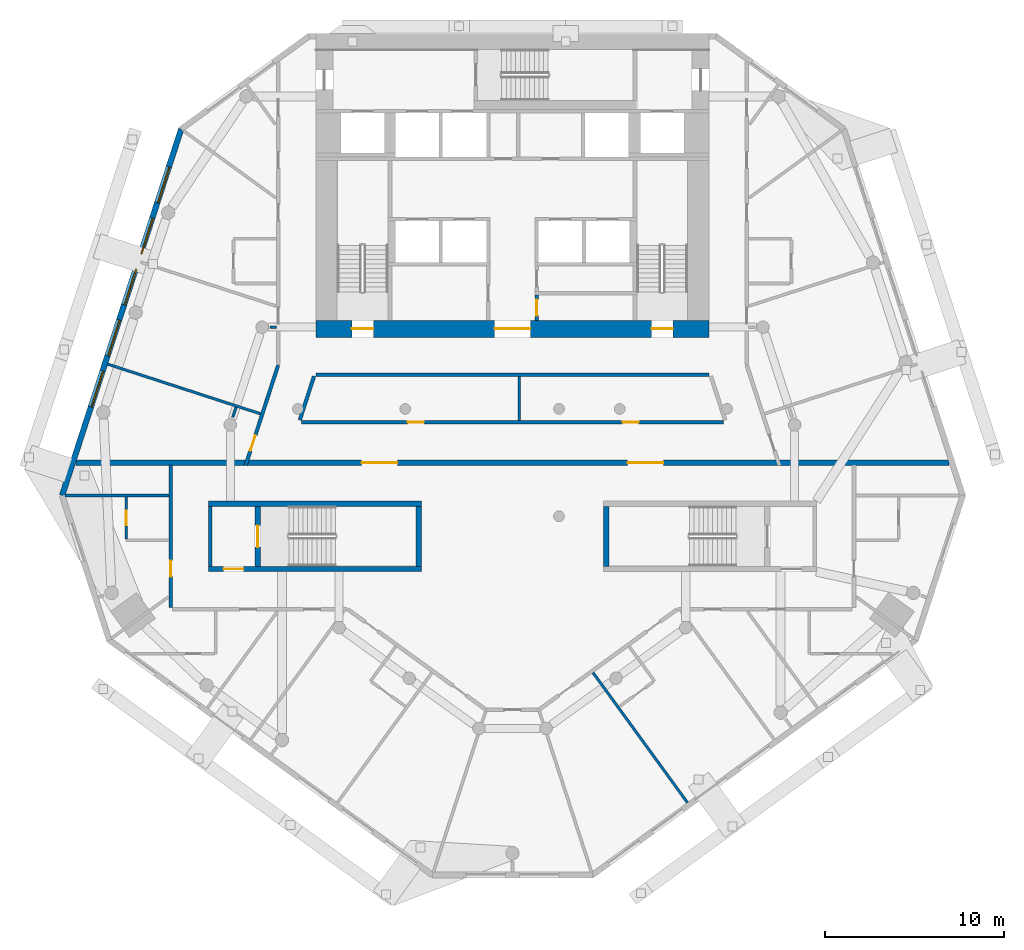
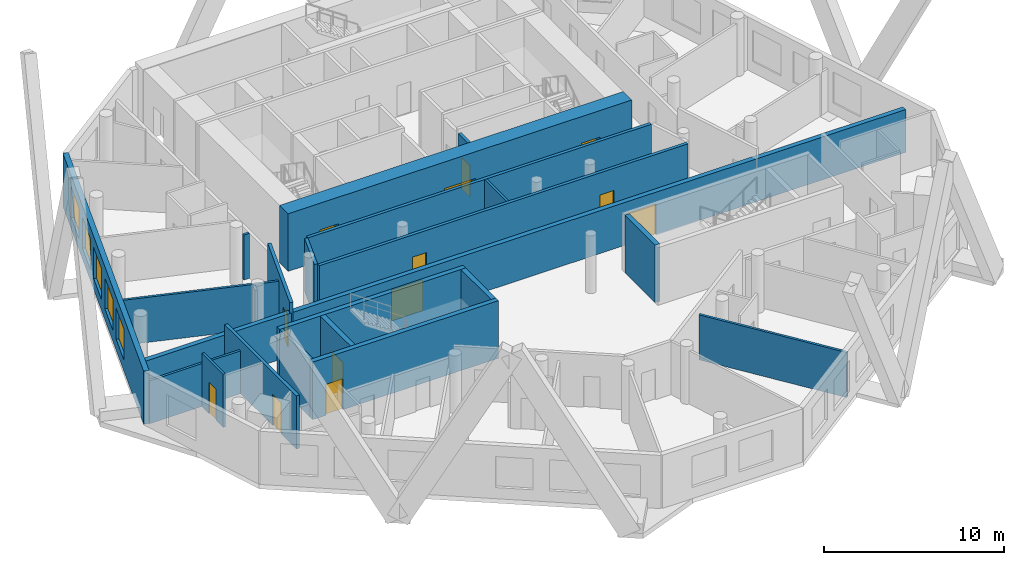
# One storey, part 4 of 10: 22 walls, 13 doors, 5 windows, 18 openings.
"""IFC4 building model written with IfcOpenShell, lengths in metres."""

import ifcopenshell
import ifcopenshell.guid

model = None  # the IFC model being written
_history = None  # IfcOwnerHistory: only IFC2X3 demands one
_inside = {}  # id of a spatial element -> (the spatial element, [elements in it])
_under = {}  # id of a project, library or spatial element -> (it, [spatial elements below it])
_declared = {}  # id of a project -> (the project, [libraries it declares])
_typed = {}  # id of a type object -> (the type object, [elements of that type])
_made_of = {}  # id of a material, layer set ... -> (it, [elements and type objects made of it])


def new_model(schema):
    """Start an empty IFC model of exactly this schema.

    Asked for "IFC4X3", IfcOpenShell would pick the latest addendum, in which some entities
    have other attributes; the version numbers below select the first issue.
    IFC2X3 requires an IfcOwnerHistory on every rooted entity: one is made here for all.
    """
    global model, _history
    if schema == "IFC4X3":
        model = ifcopenshell.file(schema_version=(4, 3, 0, 0))
    else:
        model = ifcopenshell.file(schema=schema)
    _inside.clear()
    _under.clear()
    _declared.clear()
    _typed.clear()
    _made_of.clear()
    _history = None
    if model.schema == "IFC2X3":
        org = make("IfcOrganization", Name="unknown")
        user = make(
            "IfcPersonAndOrganization",
            ThePerson=make("IfcPerson", FamilyName="unknown"),
            TheOrganization=org,
        )
        app = make(
            "IfcApplication",
            ApplicationDeveloper=org,
            Version="unknown",
            ApplicationFullName="unknown",
            ApplicationIdentifier="unknown",
        )
        _history = make(
            "IfcOwnerHistory",
            OwningUser=user,
            OwningApplication=app,
            ChangeAction="ADDED",
            CreationDate=0,
        )
    return model


def make(cls, **values):
    """One entity of the class cls with the attributes given. An attribute that is None is left unset."""
    return model.create_entity(
        cls, **{name: value for name, value in values.items() if value is not None}
    )


def rooted(cls, **values):
    """An entity with a GlobalId (a new one), such as an element, a storey or a relation."""
    return make(cls, GlobalId=ifcopenshell.guid.new(), OwnerHistory=_history, **values)


def si_unit(unit_type, name, prefix=None):
    """IfcSIUnit, for example si_unit("LENGTHUNIT", "METRE", prefix="MILLI")."""
    return make("IfcSIUnit", UnitType=unit_type, Prefix=prefix, Name=name)


def assignment(units):
    """IfcUnitAssignment: the units of a project."""
    return None if units is None else make("IfcUnitAssignment", Units=units)


def point(xyz):
    """IfcCartesianPoint."""
    return None if xyz is None else make("IfcCartesianPoint", Coordinates=xyz)


def direction(xyz):
    """IfcDirection."""
    return None if xyz is None else make("IfcDirection", DirectionRatios=xyz)


def frame(location, z_axis=None, x_axis=None):
    """IfcAxis2Placement3D, a coordinate frame: its origin and axes. An axis left out is left unset."""
    return make(
        "IfcAxis2Placement3D",
        Location=point(location),
        Axis=direction(z_axis),
        RefDirection=direction(x_axis),
    )


def frame_2d(location, x_axis=None):
    """IfcAxis2Placement2D, a coordinate frame in the plane: its origin and x axis."""
    return make(
        "IfcAxis2Placement2D", Location=point(location), RefDirection=direction(x_axis)
    )


def origin():
    """The frame at (0, 0, 0) with its axes left unset."""
    return frame((0.0, 0.0, 0.0))


def place(relative_to, where):
    """IfcLocalPlacement: puts the frame where relative to a parent placement (None: the world)."""
    return make(
        "IfcLocalPlacement", PlacementRelTo=relative_to, RelativePlacement=where
    )


def context(
    kind, dimensions, precision=None, world=None, true_north=None, identifier=None
):
    """IfcGeometricRepresentationContext, for example the 3D "Model" context."""
    return make(
        "IfcGeometricRepresentationContext",
        ContextIdentifier=identifier,
        ContextType=kind,
        CoordinateSpaceDimension=dimensions,
        Precision=precision,
        WorldCoordinateSystem=world,
        TrueNorth=true_north,
    )


def subcontext(parent, identifier, kind, view, scale=None):
    """IfcGeometricRepresentationSubContext, for example "Body" below "Model"."""
    return make(
        "IfcGeometricRepresentationSubContext",
        ContextIdentifier=identifier,
        ContextType=kind,
        ParentContext=parent,
        TargetScale=scale,
        TargetView=view,
    )


def project(units=None, contexts=None):
    """IfcProject with its units and contexts."""
    return rooted(
        "IfcProject",
        Name="project",
        RepresentationContexts=contexts,
        UnitsInContext=assignment(units),
    )


def spatial(cls, under=None, at=None, **own):
    """A site, building, storey or space (cls), placed at a placement, below another one or the project."""
    s = rooted(cls, ObjectPlacement=at, **own)
    if under is not None:
        _under.setdefault(under.id(), (under, []))[1].append(s)
    return s


def profile(cls, at=None, kind="AREA", **sizes):
    """A parametric profile (cls). Its sizes go by their IFC names, for example OverallWidth=200.0."""
    return make(cls, ProfileType=kind, Position=at, **sizes)


def rectangle(**sizes):
    """IfcRectangleProfileDef."""
    return profile("IfcRectangleProfileDef", **sizes)


def extrude(swept, where, along, depth):
    """IfcExtrudedAreaSolid: the profile swept, set in the frame where, extruded along a direction by depth."""
    return make(
        "IfcExtrudedAreaSolid",
        SweptArea=swept,
        Position=where,
        ExtrudedDirection=direction(along),
        Depth=depth,
    )


def shape(context_of_items, identifier, shape_type, items):
    """IfcShapeRepresentation: the items that make up one representation, for example the "Body"."""
    return make(
        "IfcShapeRepresentation",
        ContextOfItems=context_of_items,
        RepresentationIdentifier=identifier,
        RepresentationType=shape_type,
        Items=items,
    )


def material(Name=None, Category=None):
    """IfcMaterial."""
    return make("IfcMaterial", Name=Name, Category=Category)


def layer(
    of_material, thickness, ventilated=None, Name=None, Category=None, Priority=None
):
    """IfcMaterialLayer: one layer of a wall or slab, of a material (None: an air gap)."""
    return make(
        "IfcMaterialLayer",
        Material=of_material,
        LayerThickness=thickness,
        IsVentilated=ventilated,
        Name=Name,
        Category=Category,
        Priority=Priority,
    )


def layer_set(layers, Name=None):
    """IfcMaterialLayerSet."""
    return make("IfcMaterialLayerSet", MaterialLayers=layers, LayerSetName=Name)


def made_of(thing, what):
    """Note that an element or type object is made of a material, layer set ...; save() writes the relation."""
    if what is not None:
        _made_of.setdefault(what.id(), (what, []))[1].append(thing)
    return thing


def type_object(cls, material=None, **own):
    """A type object (cls), such as IfcWallType, which elements share."""
    return made_of(rooted(cls, **own), material)


def element(
    cls,
    number,
    at=None,
    inside=None,
    cuts=None,
    type_object=None,
    material=None,
    context=None,
    identifier="Body",
    shape_type=None,
    held_by="IfcProductDefinitionShape",
    body=None,
    shapes=None,
    **own,
):
    """One element of the class cls, such as IfcWall. Its Tag is "e" and its number.

    at: its placement. inside: the storey or other place that contains it. cuts: it is an
    opening in that element (IfcRelVoidsElement). A single representation is given by context,
    identifier, shape_type and body (its items); several are given by shapes. held_by: the class
    of the entity that holds the representations. save() writes the other relations.
    """
    e = rooted(cls, Tag="e%d" % number, ObjectPlacement=at, **own)
    if body is not None:
        shapes = [shape(context, identifier, shape_type, body)]
    if shapes is not None:
        e.Representation = make(held_by, Representations=shapes)
    if inside is not None:
        _inside.setdefault(inside.id(), (inside, []))[1].append(e)
    if cuts is not None:
        rooted(
            "IfcRelVoidsElement", RelatingBuildingElement=cuts, RelatedOpeningElement=e
        )
    if type_object is not None:
        _typed.setdefault(type_object.id(), (type_object, []))[1].append(e)
    return made_of(e, material)


def fill(opening, filler):
    """IfcRelFillsElement: the door or window that sits in an opening."""
    return rooted(
        "IfcRelFillsElement",
        RelatingOpeningElement=opening,
        RelatedBuildingElement=filler,
    )


def aggregate(whole, parts):
    """IfcRelAggregates: a whole, such as a stair, and the parts it consists of."""
    return rooted("IfcRelAggregates", RelatingObject=whole, RelatedObjects=parts)


def save(model, path):
    """Write the relations noted so far, then the file.

    IfcRelAggregates (storeys below a building ...), IfcRelContainedInSpatialStructure (elements
    in a storey), IfcRelDefinesByType, IfcRelAssociatesMaterial and IfcRelDeclares: one each for
    every whole, place, type object, material and project.
    """
    for whole, parts in _under.values():
        aggregate(whole, parts)
    for where, things in _inside.values():
        rooted(
            "IfcRelContainedInSpatialStructure",
            RelatedElements=things,
            RelatingStructure=where,
        )
    for kind, things in _typed.values():
        rooted("IfcRelDefinesByType", RelatedObjects=things, RelatingType=kind)
    for what, things in _made_of.values():
        rooted("IfcRelAssociatesMaterial", RelatedObjects=things, RelatingMaterial=what)
    for by, libraries in _declared.values():
        rooted("IfcRelDeclares", RelatingContext=by, RelatedDefinitions=libraries)
    model.write(path)


model = new_model("IFC4")

# Units and contexts
model_context = context("Model", 3, precision=1e-05, world=origin(), true_north=direction((0.0, 1.0)))
body_context = subcontext(model_context, "Body", "Model", "MODEL_VIEW")
ifc_project = project(units=[si_unit("LENGTHUNIT", "METRE"), si_unit("AREAUNIT", "SQUARE_METRE"), si_unit("VOLUMEUNIT", "CUBIC_METRE"), si_unit("PLANEANGLEUNIT", "RADIAN"), si_unit("MASSUNIT", "GRAM", prefix="KILO")], contexts=[model_context])

# Site, building, storey
site_placement = place(None, origin())
site = spatial("IfcSite", under=ifc_project, at=site_placement, CompositionType="ELEMENT")
building_placement = place(site_placement, origin())
building = spatial("IfcBuilding", under=site, at=building_placement, Name="White Candle Pilgrim Tower", CompositionType="ELEMENT")
storey_placement = place(building_placement, frame((0.0, 0.0, 160.300048828125)))
storey = spatial("IfcBuildingStorey", under=building, at=storey_placement, Name="L36", CompositionType="ELEMENT", Elevation=160.300048828125)

# Wall
ifc_material_1 = material(Name="Concrete C60/75", Category="concrete")
ifc_layer_1 = layer(ifc_material_1, 0.199951171875)
ifc_layer_set_1 = layer_set([ifc_layer_1], Name="Core wall 200 mm Concrete C60/75")
wall_type_1 = type_object("IfcWallType", Name="Core wall 200 mm Concrete C60/75", PredefinedType="SHEAR", material=ifc_layer_set_1)
wall_1_placement = place(storey_placement, frame((53.10009765625, 58.199951171875, 0.0), z_axis=(0.0, 0.0, 1.0), x_axis=(0.0, 1.0, 0.0)))
element("IfcWall", 1, at=wall_1_placement, inside=storey, type_object=wall_type_1, Name="WL-L36-C03", PredefinedType="SHEAR", context=body_context, shape_type="SweptSolid", body=[
    extrude(rectangle(XDim=3.35009765625, YDim=0.199951171875, at=frame_2d((1.675048828125, 0.0))), origin(), (0.0, 0.0, 1.0), 3.89990234375),
])

# Wall, opening, door
ifc_material_2 = material(Name="Gypsum board on steel studs", Category="steel")
ifc_layer_2 = layer(ifc_material_2, 0.199951171875)
ifc_layer_set_2 = layer_set([ifc_layer_2], Name="Corridor wall 200 mm EI 45")
wall_type_2 = type_object("IfcWallType", Name="Corridor wall 200 mm EI 45", PredefinedType="PARTITIONING", material=ifc_layer_set_2)
wall_2_placement = place(storey_placement, frame((55.078125, 63.85009765625, 0.0), z_axis=(0.0, 0.0, 1.0), x_axis=(0.309018469575, 0.951056036972, 0.0)))
wall_2 = element("IfcWall", 2, at=wall_2_placement, inside=storey, type_object=wall_type_2, Name="WL-L36-P002", PredefinedType="PARTITIONING", context=body_context, shape_type="SweptSolid", body=[
    extrude(rectangle(XDim=5.879638671875, YDim=0.199951171875, at=frame_2d((2.93994140625, 0.0))), origin(), (0.0, 0.0, 1.0), 3.599853515625),
])
opening_1_placement = place(wall_2_placement, frame((0.861083984375, 0.0, 0.0)))
opening_1 = element("IfcOpeningElement", 3, at=opening_1_placement, cuts=wall_2, Name="Opening T11-124", PredefinedType="OPENING", context=body_context, shape_type="SweptSolid", body=[
    extrude(rectangle(XDim=0.89990234375, YDim=2.10009765625, at=frame_2d((0.449951171875, 1.050048828125))), frame((0.0, 0.10986328125, 0.0), z_axis=(0.0, -1.0, 0.0), x_axis=(1.0, 0.0, 0.0)), (0.0, 0.0, 1.0), 0.219970703125),
])
ifc_material_3 = material(Name="Steel door leaf", Category="steel")
door_type_1 = type_object("IfcDoorType", Name="Fire door 900 x 2100 EI 30", OperationType="NOTDEFINED", PredefinedType="DOOR", material=ifc_material_3)
door_1_placement = place(opening_1_placement, origin())
door_1 = element("IfcDoor", 4, at=door_1_placement, inside=storey, type_object=door_type_1, Name="Door T11-124", OperationType="SINGLE_SWING_RIGHT", OverallHeight=2.10009765625, OverallWidth=0.89990234375, PredefinedType="DOOR", context=body_context, shape_type="SweptSolid", body=[
    extrude(rectangle(XDim=0.89990234375, YDim=2.10009765625, at=frame_2d((0.449951171875, 1.050048828125))), frame((0.0, 0.02490234375, 0.0), z_axis=(0.0, -1.0, 0.0), x_axis=(1.0, 0.0, 0.0)), (0.0, 0.0, 1.0), 0.050048828125),
])
fill(opening_1, door_1)

wall_3_placement = place(storey_placement, frame((50.89990234375, 55.89990234375, 0.0), z_axis=(0.0, 0.0, 1.0), x_axis=(0.0, 1.0, 0.0)))
wall_3 = element("IfcWall", 5, at=wall_3_placement, inside=storey, type_object=wall_type_2, Name="WL-L36-P012", PredefinedType="PARTITIONING", context=body_context, shape_type="SweptSolid", body=[
    extrude(rectangle(XDim=7.9501953125, YDim=0.199951171875, at=frame_2d((3.97509765625, 0.0))), origin(), (0.0, 0.0, 1.0), 3.599853515625),
])
opening_2_placement = place(wall_3_placement, frame((1.72119140625, 0.0, 0.0)))
opening_2 = element("IfcOpeningElement", 6, at=opening_2_placement, cuts=wall_3, Name="Opening T11-103", PredefinedType="OPENING", context=body_context, shape_type="SweptSolid", body=[
    extrude(rectangle(XDim=0.89990234375, YDim=2.10009765625, at=frame_2d((0.449951171875, 1.050048828125))), frame((0.0, 0.10986328125, 0.0), z_axis=(0.0, -1.0, 0.0), x_axis=(1.0, 0.0, 0.0)), (0.0, 0.0, 1.0), 0.219970703125),
])
door_2_placement = place(opening_2_placement, origin())
door_2 = element("IfcDoor", 7, at=door_2_placement, inside=storey, type_object=door_type_1, Name="Door T11-103", OperationType="SINGLE_SWING_LEFT", OverallHeight=2.10009765625, OverallWidth=0.89990234375, PredefinedType="DOOR", context=body_context, shape_type="SweptSolid", body=[
    extrude(rectangle(XDim=0.89990234375, YDim=2.10009765625, at=frame_2d((0.449951171875, 1.050048828125))), frame((0.0, 0.02490234375, 0.0), z_axis=(0.0, -1.0, 0.0), x_axis=(1.0, 0.0, 0.0)), (0.0, 0.0, 1.0), 0.050048828125),
])
fill(opening_2, door_2)

# Walls
wall_4_placement = place(storey_placement, frame((81.000244140625, 68.89990234375, 0.0), z_axis=(0.0, 0.0, 1.0), x_axis=(-1.0, 0.0, 0.0)))
element("IfcWall", 8, at=wall_4_placement, inside=storey, type_object=wall_type_2, Name="WL-L36-P013", PredefinedType="PARTITIONING", context=body_context, shape_type="SweptSolid", body=[
    extrude(rectangle(XDim=22.00048828125, YDim=0.199951171875, at=frame_2d((11.000244140625, 0.0))), origin(), (0.0, 0.0, 1.0), 3.599853515625),
])
wall_5_placement = place(storey_placement, frame((58.90478515625, 68.830810546875, 0.0), z_axis=(0.0, 0.0, 1.0), x_axis=(-0.309053927645, -0.951044515155, 0.0)))
element("IfcWall", 9, at=wall_5_placement, inside=storey, type_object=wall_type_2, Name="WL-L36-P014", PredefinedType="PARTITIONING", context=body_context, shape_type="SweptSolid", body=[
    extrude(rectangle(XDim=2.576171875, YDim=0.199951171875, at=frame_2d((1.2880859375, 0.0))), origin(), (0.0, 0.0, 1.0), 3.599853515625),
])

# Wall, openings, doors
wall_6_placement = place(storey_placement, frame((58.20361328125, 66.25, 0.0), z_axis=(0.0, 0.0, 1.0), x_axis=(1.0, 0.0, 0.0)))
wall_6 = element("IfcWall", 10, at=wall_6_placement, inside=storey, type_object=wall_type_2, Name="WL-L36-P015", PredefinedType="PARTITIONING", context=body_context, shape_type="SweptSolid", body=[
    extrude(rectangle(XDim=23.5927734375, YDim=0.199951171875, at=frame_2d((11.79638671875, 0.0))), origin(), (0.0, 0.0, 1.0), 3.599853515625),
])
opening_3_placement = place(wall_6_placement, frame((5.94091796875, 0.0, 0.0)))
opening_3 = element("IfcOpeningElement", 11, at=opening_3_placement, cuts=wall_6, Name="Opening T11-122", PredefinedType="OPENING", context=body_context, shape_type="SweptSolid", body=[
    extrude(rectangle(XDim=0.89990234375, YDim=2.10009765625, at=frame_2d((0.449951171875, 1.050048828125))), frame((0.0, 0.10986328125, 0.0), z_axis=(0.0, -1.0, 0.0), x_axis=(1.0, 0.0, 0.0)), (0.0, 0.0, 1.0), 0.219970703125),
])
opening_4_placement = place(wall_6_placement, frame((17.949951171875, 0.0, 0.0)))
opening_4 = element("IfcOpeningElement", 12, at=opening_4_placement, cuts=wall_6, Name="Opening T11-123", PredefinedType="OPENING", context=body_context, shape_type="SweptSolid", body=[
    extrude(rectangle(XDim=0.89990234375, YDim=2.10009765625, at=frame_2d((0.449951171875, 1.050048828125))), frame((0.0, 0.10986328125, 0.0), z_axis=(0.0, -1.0, 0.0), x_axis=(1.0, 0.0, 0.0)), (0.0, 0.0, 1.0), 0.219970703125),
])
door_3_placement = place(opening_3_placement, origin())
door_3 = element("IfcDoor", 13, at=door_3_placement, inside=storey, type_object=door_type_1, Name="Door T11-122", OperationType="SINGLE_SWING_RIGHT", OverallHeight=2.10009765625, OverallWidth=0.89990234375, PredefinedType="DOOR", context=body_context, shape_type="SweptSolid", body=[
    extrude(rectangle(XDim=0.89990234375, YDim=2.10009765625, at=frame_2d((0.449951171875, 1.050048828125))), frame((0.0, 0.02490234375, 0.0), z_axis=(0.0, -1.0, 0.0), x_axis=(1.0, 0.0, 0.0)), (0.0, 0.0, 1.0), 0.050048828125),
])
fill(opening_3, door_3)
door_4_placement = place(opening_4_placement, origin())
door_4 = element("IfcDoor", 14, at=door_4_placement, inside=storey, type_object=door_type_1, Name="Door T11-123", OperationType="SINGLE_SWING_RIGHT", OverallHeight=2.10009765625, OverallWidth=0.89990234375, PredefinedType="DOOR", context=body_context, shape_type="SweptSolid", body=[
    extrude(rectangle(XDim=0.89990234375, YDim=2.10009765625, at=frame_2d((0.449951171875, 1.050048828125))), frame((0.0, 0.02490234375, 0.0), z_axis=(0.0, -1.0, 0.0), x_axis=(1.0, 0.0, 0.0)), (0.0, 0.0, 1.0), 0.050048828125),
])
fill(opening_4, door_4)

# Wall, openings, windows
ifc_material_4 = material(Name="Precast concrete C40/50", Category="concrete")
ifc_layer_3 = layer(ifc_material_4, 0.320068359375)
ifc_layer_set_3 = layer_set([ifc_layer_3], Name="Facade wall EW1 precast concrete C40/50 pier wall with timber-lined reveals")
wall_type_3 = type_object("IfcWallType", Name="Facade wall EW1 precast concrete C40/50 pier wall with timber-lined reveals", PredefinedType="SOLIDWALL", material=ifc_layer_set_3)
wall_7_placement = place(storey_placement, frame((51.470947265625, 82.649658203125, 0.0), z_axis=(0.0, 0.0, 1.0), x_axis=(-0.309015355068, -0.951057048937, 0.0)))
wall_7 = element("IfcWall", 15, at=wall_7_placement, inside=storey, type_object=wall_type_3, Name="Facade wall L36 WNW", PredefinedType="SOLIDWALL", context=body_context, shape_type="SweptSolid", body=[
    extrude(rectangle(XDim=21.545654296875, YDim=0.320068359375, at=frame_2d((10.77294921875, 0.0))), origin(), (0.0, 0.0, 1.0), 3.599853515625),
])
opening_5_placement = place(wall_7_placement, frame((2.222900390625, 0.0, 0.75)))
opening_5 = element("IfcOpeningElement", 16, at=opening_5_placement, cuts=wall_7, Name="Opening W3", PredefinedType="OPENING", context=body_context, shape_type="SweptSolid", body=[
    extrude(rectangle(XDim=2.10009765625, YDim=2.10009765625, at=frame_2d((1.050048828125, 1.050048828125))), frame((0.0, 0.169921875, 0.0), z_axis=(0.0, -1.0, 0.0), x_axis=(1.0, 0.0, 0.0)), (0.0, 0.0, 1.0), 0.340087890625),
])
opening_6_placement = place(wall_7_placement, frame((5.222900390625, 0.0, 0.75)))
opening_6 = element("IfcOpeningElement", 17, at=opening_6_placement, cuts=wall_7, Name="Opening W3", PredefinedType="OPENING", context=body_context, shape_type="SweptSolid", body=[
    extrude(rectangle(XDim=2.10009765625, YDim=2.10009765625, at=frame_2d((1.050048828125, 1.050048828125))), frame((0.0, 0.169921875, 0.0), z_axis=(0.0, -1.0, 0.0), x_axis=(1.0, 0.0, 0.0)), (0.0, 0.0, 1.0), 0.340087890625),
])
opening_7_placement = place(wall_7_placement, frame((8.222900390625, 0.0, 0.75)))
opening_7 = element("IfcOpeningElement", 18, at=opening_7_placement, cuts=wall_7, Name="Opening W3", PredefinedType="OPENING", context=body_context, shape_type="SweptSolid", body=[
    extrude(rectangle(XDim=2.10009765625, YDim=2.10009765625, at=frame_2d((1.050048828125, 1.050048828125))), frame((0.0, 0.169921875, 0.0), z_axis=(0.0, -1.0, 0.0), x_axis=(1.0, 0.0, 0.0)), (0.0, 0.0, 1.0), 0.340087890625),
])
opening_8_placement = place(wall_7_placement, frame((11.222900390625, 0.0, 0.75)))
opening_8 = element("IfcOpeningElement", 19, at=opening_8_placement, cuts=wall_7, Name="Opening W3", PredefinedType="OPENING", context=body_context, shape_type="SweptSolid", body=[
    extrude(rectangle(XDim=2.10009765625, YDim=2.10009765625, at=frame_2d((1.050048828125, 1.050048828125))), frame((0.0, 0.169921875, 0.0), z_axis=(0.0, -1.0, 0.0), x_axis=(1.0, 0.0, 0.0)), (0.0, 0.0, 1.0), 0.340087890625),
])
opening_9_placement = place(wall_7_placement, frame((14.222900390625, 0.0, 0.75)))
opening_9 = element("IfcOpeningElement", 20, at=opening_9_placement, cuts=wall_7, Name="Opening W3", PredefinedType="OPENING", context=body_context, shape_type="SweptSolid", body=[
    extrude(rectangle(XDim=2.10009765625, YDim=2.10009765625, at=frame_2d((1.050048828125, 1.050048828125))), frame((0.0, 0.169921875, 0.0), z_axis=(0.0, -1.0, 0.0), x_axis=(1.0, 0.0, 0.0)), (0.0, 0.0, 1.0), 0.340087890625),
])
ifc_material_5 = material(Name="Timber frame with triple glazing", Category="wood")
window_type = type_object("IfcWindowType", Name="Window W3 2100x2100 timber frame triple glazing", PartitioningType="SINGLE_PANEL", PredefinedType="WINDOW", material=ifc_material_5)
window_1_placement = place(opening_5_placement, origin())
window_1 = element("IfcWindow", 21, at=window_1_placement, inside=storey, type_object=window_type, Name="Window W3 L36 WNW 1", OverallHeight=2.10009765625, OverallWidth=2.10009765625, PartitioningType="SINGLE_PANEL", PredefinedType="WINDOW", context=body_context, shape_type="SweptSolid", body=[
    extrude(rectangle(XDim=2.10009765625, YDim=2.10009765625, at=frame_2d((1.050048828125, 1.050048828125))), frame((0.0, 0.070068359375, 0.0), z_axis=(0.0, -1.0, 0.0), x_axis=(1.0, 0.0, 0.0)), (0.0, 0.0, 1.0), 0.06005859375),
])
fill(opening_5, window_1)
window_2_placement = place(opening_6_placement, origin())
window_2 = element("IfcWindow", 22, at=window_2_placement, inside=storey, type_object=window_type, Name="Window W3 L36 WNW 2", OverallHeight=2.10009765625, OverallWidth=2.10009765625, PartitioningType="SINGLE_PANEL", PredefinedType="WINDOW", context=body_context, shape_type="SweptSolid", body=[
    extrude(rectangle(XDim=2.10009765625, YDim=2.10009765625, at=frame_2d((1.050048828125, 1.050048828125))), frame((0.0, 0.070068359375, 0.0), z_axis=(0.0, -1.0, 0.0), x_axis=(1.0, 0.0, 0.0)), (0.0, 0.0, 1.0), 0.06005859375),
])
fill(opening_6, window_2)
window_3_placement = place(opening_7_placement, origin())
window_3 = element("IfcWindow", 23, at=window_3_placement, inside=storey, type_object=window_type, Name="Window W3 L36 WNW 3", OverallHeight=2.10009765625, OverallWidth=2.10009765625, PartitioningType="SINGLE_PANEL", PredefinedType="WINDOW", context=body_context, shape_type="SweptSolid", body=[
    extrude(rectangle(XDim=2.10009765625, YDim=2.10009765625, at=frame_2d((1.050048828125, 1.050048828125))), frame((0.0, 0.070068359375, 0.0), z_axis=(0.0, -1.0, 0.0), x_axis=(1.0, 0.0, 0.0)), (0.0, 0.0, 1.0), 0.06005859375),
])
fill(opening_7, window_3)
window_4_placement = place(opening_8_placement, origin())
window_4 = element("IfcWindow", 24, at=window_4_placement, inside=storey, type_object=window_type, Name="Window W3 L36 WNW 4", OverallHeight=2.10009765625, OverallWidth=2.10009765625, PartitioningType="SINGLE_PANEL", PredefinedType="WINDOW", context=body_context, shape_type="SweptSolid", body=[
    extrude(rectangle(XDim=2.10009765625, YDim=2.10009765625, at=frame_2d((1.050048828125, 1.050048828125))), frame((0.0, 0.070068359375, 0.0), z_axis=(0.0, -1.0, 0.0), x_axis=(1.0, 0.0, 0.0)), (0.0, 0.0, 1.0), 0.06005859375),
])
fill(opening_8, window_4)
window_5_placement = place(opening_9_placement, origin())
window_5 = element("IfcWindow", 25, at=window_5_placement, inside=storey, type_object=window_type, Name="Window W3 L36 WNW 5", OverallHeight=2.10009765625, OverallWidth=2.10009765625, PartitioningType="SINGLE_PANEL", PredefinedType="WINDOW", context=body_context, shape_type="SweptSolid", body=[
    extrude(rectangle(XDim=2.10009765625, YDim=2.10009765625, at=frame_2d((1.050048828125, 1.050048828125))), frame((0.0, 0.070068359375, 0.0), z_axis=(0.0, -1.0, 0.0), x_axis=(1.0, 0.0, 0.0)), (0.0, 0.0, 1.0), 0.06005859375),
])
fill(opening_9, window_5)

# Wall, openings, doors
ifc_material_6 = material(Name="Aerated concrete block", Category="concrete")
ifc_layer_4 = layer(ifc_material_6, 0.300048828125)
ifc_layer_set_4 = layer_set([ifc_layer_4], Name="Fire wall 300 mm REI 240")
wall_type_4 = type_object("IfcWallType", Name="Fire wall 300 mm REI 240", PredefinedType="PARTITIONING", material=ifc_layer_set_4)
wall_8_placement = place(storey_placement, frame((45.57958984375, 64.0, 0.0), z_axis=(0.0, 0.0, 1.0), x_axis=(1.0, 0.0, 0.0)))
wall_8 = element("IfcWall", 26, at=wall_8_placement, inside=storey, type_object=wall_type_4, Name="WL-L36-P001", PredefinedType="PARTITIONING", context=body_context, shape_type="SweptSolid", body=[
    extrude(rectangle(XDim=48.8408203125, YDim=0.300048828125, at=frame_2d((24.42041015625, 0.0))), origin(), (0.0, 0.0, 1.0), 2.89990234375),
])
opening_10_placement = place(wall_8_placement, frame((15.98388671875, 0.0, 0.0)))
opening_10 = element("IfcOpeningElement", 27, at=opening_10_placement, cuts=wall_8, Name="Opening T11-120", PredefinedType="OPENING", context=body_context, shape_type="SweptSolid", body=[
    extrude(rectangle(XDim=2.0, YDim=2.10009765625, at=frame_2d((1.0, 1.050048828125))), frame((0.0, 0.159912109375, 0.0), z_axis=(0.0, -1.0, 0.0), x_axis=(1.0, 0.0, 0.0)), (0.0, 0.0, 1.0), 0.320068359375),
])
opening_11_placement = place(wall_8_placement, frame((30.856689453125, 0.0, 0.0)))
opening_11 = element("IfcOpeningElement", 28, at=opening_11_placement, cuts=wall_8, Name="Opening T11-121", PredefinedType="OPENING", context=body_context, shape_type="SweptSolid", body=[
    extrude(rectangle(XDim=2.0, YDim=2.10009765625, at=frame_2d((1.0, 1.050048828125))), frame((0.0, 0.159912109375, 0.0), z_axis=(0.0, -1.0, 0.0), x_axis=(1.0, 0.0, 0.0)), (0.0, 0.0, 1.0), 0.320068359375),
])
door_type_2 = type_object("IfcDoorType", Name="Fire door 2000 x 2100 EI 60", OperationType="NOTDEFINED", PredefinedType="DOOR", material=ifc_material_3)
door_5_placement = place(opening_10_placement, origin())
door_5 = element("IfcDoor", 29, at=door_5_placement, inside=storey, type_object=door_type_2, Name="Door T11-120", OperationType="DOUBLE_DOOR_SINGLE_SWING", OverallHeight=2.10009765625, OverallWidth=2.0, PredefinedType="DOOR", context=body_context, shape_type="SweptSolid", body=[
    extrude(rectangle(XDim=2.0, YDim=2.10009765625, at=frame_2d((1.0, 1.050048828125))), frame((0.0, 0.02490234375, 0.0), z_axis=(0.0, -1.0, 0.0), x_axis=(1.0, 0.0, 0.0)), (0.0, 0.0, 1.0), 0.050048828125),
])
fill(opening_10, door_5)
door_6_placement = place(opening_11_placement, origin())
door_6 = element("IfcDoor", 30, at=door_6_placement, inside=storey, type_object=door_type_2, Name="Door T11-121", OperationType="DOUBLE_DOOR_SINGLE_SWING", OverallHeight=2.10009765625, OverallWidth=2.0, PredefinedType="DOOR", context=body_context, shape_type="SweptSolid", body=[
    extrude(rectangle(XDim=2.0, YDim=2.10009765625, at=frame_2d((1.0, 1.050048828125))), frame((0.0, 0.02490234375, 0.0), z_axis=(0.0, -1.0, 0.0), x_axis=(1.0, 0.0, 0.0)), (0.0, 0.0, 1.0), 0.050048828125),
])
fill(opening_11, door_6)

# Wall, opening, door
ifc_layer_5 = layer(ifc_material_2, 0.199951171875)
ifc_layer_set_5 = layer_set([ifc_layer_5], Name="Lobby wall 200 mm EI 60")
wall_type_5 = type_object("IfcWallType", Name="Lobby wall 200 mm EI 60", PredefinedType="PARTITIONING", material=ifc_layer_set_5)
wall_9_placement = place(storey_placement, frame((71.35009765625, 71.949951171875, 0.0), z_axis=(0.0, 0.0, 1.0), x_axis=(0.0, 1.0, 0.0)))
wall_9 = element("IfcWall", 31, at=wall_9_placement, inside=storey, type_object=wall_type_5, Name="WL-L36-C15", PredefinedType="PARTITIONING", context=body_context, shape_type="SweptSolid", body=[
    extrude(rectangle(XDim=1.425048828125, YDim=0.199951171875, at=frame_2d((0.71240234375, 0.0))), origin(), (0.0, 0.0, 1.0), 3.599853515625),
])
opening_12_placement = place(wall_9_placement, frame((0.262451171875, 0.0, 0.0)))
opening_12 = element("IfcOpeningElement", 32, at=opening_12_placement, cuts=wall_9, Name="Opening T11-006", PredefinedType="OPENING", context=body_context, shape_type="SweptSolid", body=[
    extrude(rectangle(XDim=0.89990234375, YDim=2.10009765625, at=frame_2d((0.449951171875, 1.050048828125))), frame((0.0, 0.10986328125, 0.0), z_axis=(0.0, -1.0, 0.0), x_axis=(1.0, 0.0, 0.0)), (0.0, 0.0, 1.0), 0.219970703125),
])
door_7_placement = place(opening_12_placement, origin())
door_7 = element("IfcDoor", 33, at=door_7_placement, inside=storey, type_object=door_type_1, Name="Door T11-006", OperationType="SINGLE_SWING_RIGHT", OverallHeight=2.10009765625, OverallWidth=0.89990234375, PredefinedType="DOOR", context=body_context, shape_type="SweptSolid", body=[
    extrude(rectangle(XDim=0.89990234375, YDim=2.10009765625, at=frame_2d((0.449951171875, 1.050048828125))), frame((0.0, 0.02490234375, 0.0), z_axis=(0.0, -1.0, 0.0), x_axis=(1.0, 0.0, 0.0)), (0.0, 0.0, 1.0), 0.050048828125),
])
fill(opening_12, door_7)

# Walls
ifc_layer_6 = layer(ifc_material_2, 0.14990234375)
ifc_layer_set_6 = layer_set([ifc_layer_6], Name="Partition 150 mm EI 60")
wall_type_6 = type_object("IfcWallType", Name="Partition 150 mm EI 60", PredefinedType="PARTITIONING", material=ifc_layer_set_6)
wall_10_placement = place(storey_placement, frame((44.981201171875, 62.158447265625, 0.0), z_axis=(0.0, 0.0, 1.0), x_axis=(1.0, 0.0, 0.0)))
element("IfcWall", 34, at=wall_10_placement, inside=storey, type_object=wall_type_6, Name="WL-L36-P018", PredefinedType="PARTITIONING", context=body_context, shape_type="SweptSolid", body=[
    extrude(rectangle(XDim=5.81884765625, YDim=0.14990234375, at=frame_2d((2.909423828125, 0.0))), origin(), (0.0, 0.0, 1.0), 2.89990234375),
])
wall_11_placement = place(storey_placement, frame((47.3671875, 69.50146484375, 0.0), z_axis=(0.0, 0.0, 1.0), x_axis=(0.951051249243, -0.309033204224, 0.0)))
element("IfcWall", 35, at=wall_11_placement, inside=storey, type_object=wall_type_6, Name="WL-L36-P027", PredefinedType="PARTITIONING", context=body_context, shape_type="SweptSolid", body=[
    extrude(rectangle(XDim=8.97998046875, YDim=0.14990234375, at=frame_2d((4.489990234375, 0.0))), origin(), (0.0, 0.0, 1.0), 3.050048828125),
])

# Wall, opening, door
wall_12_placement = place(storey_placement, frame((48.39990234375, 62.08349609375, 0.0), z_axis=(0.0, 0.0, 1.0), x_axis=(0.0, -1.0, 0.0)))
wall_12 = element("IfcWall", 36, at=wall_12_placement, inside=storey, type_object=wall_type_6, Name="WL-L36-P032", PredefinedType="PARTITIONING", context=body_context, shape_type="SweptSolid", body=[
    extrude(rectangle(XDim=2.35009765625, YDim=0.14990234375, at=frame_2d((1.175048828125, 0.0))), origin(), (0.0, 0.0, 1.0), 3.599853515625),
])
opening_13_placement = place(wall_12_placement, frame((0.77490234375, 0.0, 0.0)))
opening_13 = element("IfcOpeningElement", 37, at=opening_13_placement, cuts=wall_12, Name="Opening T11-102", PredefinedType="OPENING", context=body_context, shape_type="SweptSolid", body=[
    extrude(rectangle(XDim=0.800048828125, YDim=2.10009765625, at=frame_2d((0.39990234375, 1.050048828125))), frame((0.0, 0.0849609375, 0.0), z_axis=(0.0, -1.0, 0.0), x_axis=(1.0, 0.0, 0.0)), (0.0, 0.0, 1.0), 0.169921875),
])
door_type_3 = type_object("IfcDoorType", Name="Fire door 800 x 2100 EI 30", OperationType="NOTDEFINED", PredefinedType="DOOR", material=ifc_material_3)
door_8_placement = place(opening_13_placement, frame((0.800048828125, 0.0, 0.0), z_axis=(0.0, 0.0, 1.0), x_axis=(-1.0, 0.0, 0.0)))
door_8 = element("IfcDoor", 38, at=door_8_placement, inside=storey, type_object=door_type_3, Name="Door T11-102", OperationType="SINGLE_SWING_LEFT", OverallHeight=2.10009765625, OverallWidth=0.800048828125, PredefinedType="DOOR", context=body_context, shape_type="SweptSolid", body=[
    extrude(rectangle(XDim=0.800048828125, YDim=2.10009765625, at=frame_2d((0.39990234375, 1.050048828125))), frame((0.0, 0.02490234375, 0.0), z_axis=(0.0, -1.0, 0.0), x_axis=(1.0, 0.0, 0.0)), (0.0, 0.0, 1.0), 0.050048828125),
])
fill(opening_13, door_8)

# Walls
wall_13_placement = place(storey_placement, frame((79.78271484375, 44.986083984375, 0.0), z_axis=(0.0, 0.0, 1.0), x_axis=(-0.587790127827, 0.809013452069, 0.0)))
element("IfcWall", 39, at=wall_13_placement, inside=storey, type_object=wall_type_6, Name="WL-L36-P040", PredefinedType="PARTITIONING", context=body_context, shape_type="SweptSolid", body=[
    extrude(rectangle(XDim=8.97998046875, YDim=0.14990234375, at=frame_2d((4.489990234375, 0.0))), origin(), (0.0, 0.0, 1.0), 3.050048828125),
])
wall_14_placement = place(storey_placement, frame((70.373291015625, 66.35009765625, 0.0), z_axis=(0.0, 0.0, 1.0), x_axis=(0.0, 1.0, 0.0)))
element("IfcWall", 40, at=wall_14_placement, inside=storey, type_object=wall_type_6, Name="WL-L36-P055", PredefinedType="PARTITIONING", context=body_context, shape_type="SweptSolid", body=[
    extrude(rectangle(XDim=2.449951171875, YDim=0.14990234375, at=frame_2d((1.22509765625, 0.0))), origin(), (0.0, 0.0, 1.0), 3.599853515625),
])
wall_15_placement = place(storey_placement, frame((56.43994140625, 71.572265625, 0.0), z_axis=(0.0, 0.0, 1.0), x_axis=(1.0, 0.0, 0.0)))
element("IfcWall", 41, at=wall_15_placement, inside=storey, type_object=wall_type_6, Name="WL-L36-P063", PredefinedType="PARTITIONING", context=body_context, shape_type="SweptSolid", body=[
    extrude(rectangle(XDim=0.360107421875, YDim=0.14990234375, at=frame_2d((0.18017578125, 0.0))), origin(), (0.0, 0.0, 1.0), 3.050048828125),
])
wall_16_placement = place(storey_placement, frame((54.35888671875, 66.52734375, 0.0), z_axis=(0.0, 0.0, 1.0), x_axis=(0.309179160729, 0.951003809966, 0.0)))
element("IfcWall", 42, at=wall_16_placement, inside=storey, type_object=wall_type_6, Name="WL-L36-P064", PredefinedType="PARTITIONING", context=body_context, shape_type="SweptSolid", body=[
    extrude(rectangle(XDim=0.593017578125, YDim=0.14990234375, at=frame_2d((0.29638671875, 0.0))), origin(), (0.0, 0.0, 1.0), 3.050048828125),
])

# Wall, opening, door
ifc_layer_7 = layer(ifc_material_1, 0.300048828125)
ifc_layer_set_7 = layer_set([ifc_layer_7], Name="Stair shaft wall 300 mm Concrete C60/75")
wall_type_7 = type_object("IfcWallType", Name="Stair shaft wall 300 mm Concrete C60/75", PredefinedType="SHEAR", material=ifc_layer_set_7)
wall_17_placement = place(storey_placement, frame((53.0, 58.050048828125, 0.0), z_axis=(0.0, 0.0, 1.0), x_axis=(1.0, 0.0, 0.0)))
wall_17 = element("IfcWall", 43, at=wall_17_placement, inside=storey, type_object=wall_type_7, Name="WL-L36-C01", PredefinedType="SHEAR", context=body_context, shape_type="SweptSolid", body=[
    extrude(rectangle(XDim=11.89990234375, YDim=0.300048828125, at=frame_2d((5.949951171875, 0.0))), origin(), (0.0, 0.0, 1.0), 3.89990234375),
])
opening_14_placement = place(wall_17_placement, frame((0.85009765625, 0.0, 0.0)))
opening_14 = element("IfcOpeningElement", 44, at=opening_14_placement, cuts=wall_17, Name="Opening T11-010", PredefinedType="OPENING", context=body_context, shape_type="SweptSolid", body=[
    extrude(rectangle(XDim=1.10009765625, YDim=2.10009765625, at=frame_2d((0.550048828125, 1.050048828125))), frame((0.0, 0.159912109375, 0.0), z_axis=(0.0, -1.0, 0.0), x_axis=(1.0, 0.0, 0.0)), (0.0, 0.0, 1.0), 0.320068359375),
])
door_type_4 = type_object("IfcDoorType", Name="Fire door 1100 x 2100 EI 60", OperationType="NOTDEFINED", PredefinedType="DOOR", material=ifc_material_3)
door_9_placement = place(opening_14_placement, origin())
door_9 = element("IfcDoor", 45, at=door_9_placement, inside=storey, type_object=door_type_4, Name="Door T11-010", OperationType="SINGLE_SWING_RIGHT", OverallHeight=2.10009765625, OverallWidth=1.10009765625, PredefinedType="DOOR", context=body_context, shape_type="SweptSolid", body=[
    extrude(rectangle(XDim=1.10009765625, YDim=2.10009765625, at=frame_2d((0.550048828125, 1.050048828125))), frame((0.0, 0.02490234375, 0.0), z_axis=(0.0, -1.0, 0.0), x_axis=(1.0, 0.0, 0.0)), (0.0, 0.0, 1.0), 0.050048828125),
])
fill(opening_14, door_9)

wall_18_placement = place(storey_placement, frame((55.75, 58.199951171875, 0.0), z_axis=(0.0, 0.0, 1.0), x_axis=(0.0, 1.0, 0.0)))
wall_18 = element("IfcWall", 46, at=wall_18_placement, inside=storey, type_object=wall_type_7, Name="WL-L36-C04", PredefinedType="SHEAR", context=body_context, shape_type="SweptSolid", body=[
    extrude(rectangle(XDim=3.35009765625, YDim=0.300048828125, at=frame_2d((1.675048828125, 0.0))), origin(), (0.0, 0.0, 1.0), 3.89990234375),
])
opening_15_placement = place(wall_18_placement, frame((1.074951171875, 0.0, 0.0)))
opening_15 = element("IfcOpeningElement", 47, at=opening_15_placement, cuts=wall_18, Name="Opening T11-011", PredefinedType="OPENING", context=body_context, shape_type="SweptSolid", body=[
    extrude(rectangle(XDim=1.199951171875, YDim=2.10009765625, at=frame_2d((0.60009765625, 1.050048828125))), frame((0.0, 0.159912109375, 0.0), z_axis=(0.0, -1.0, 0.0), x_axis=(1.0, 0.0, 0.0)), (0.0, 0.0, 1.0), 0.320068359375),
])
door_type_5 = type_object("IfcDoorType", Name="Fire door 1200 x 2100 EI 60", OperationType="NOTDEFINED", PredefinedType="DOOR", material=ifc_material_3)
door_10_placement = place(opening_15_placement, frame((1.199951171875, 0.0, 0.0), z_axis=(0.0, 0.0, 1.0), x_axis=(-1.0, 0.0, 0.0)))
door_10 = element("IfcDoor", 48, at=door_10_placement, inside=storey, type_object=door_type_5, Name="Door T11-011", OperationType="SINGLE_SWING_RIGHT", OverallHeight=2.10009765625, OverallWidth=1.199951171875, PredefinedType="DOOR", context=body_context, shape_type="SweptSolid", body=[
    extrude(rectangle(XDim=1.199951171875, YDim=2.10009765625, at=frame_2d((0.60009765625, 1.050048828125))), frame((0.0, 0.02490234375, 0.0), z_axis=(0.0, -1.0, 0.0), x_axis=(1.0, 0.0, 0.0)), (0.0, 0.0, 1.0), 0.050048828125),
])
fill(opening_15, door_10)

# Walls
for number, where, z_axis, x_axis, name in (
    (49, (64.75, 58.199951171875, 0.0), (0.0, 0.0, 1.0), (0.0, 1.0, 0.0), "WL-L36-C05"),
    (50, (75.25, 58.199951171875, 0.0), (0.0, 0.0, 1.0), (0.0, 1.0, 0.0), "WL-L36-C06"),
):
    element("IfcWall", number, at=place(storey_placement, frame(where, z_axis=z_axis, x_axis=x_axis)), inside=storey, type_object=wall_type_7, Name=name, PredefinedType="SHEAR", context=body_context, shape_type="SweptSolid", body=[
        extrude(rectangle(XDim=3.35009765625, YDim=0.300048828125, at=frame_2d((1.675048828125, 0.0))), origin(), (0.0, 0.0, 1.0), 3.89990234375),
    ])
wall_19_placement = place(storey_placement, frame((53.0, 61.699951171875, 0.0), z_axis=(0.0, 0.0, 1.0), x_axis=(1.0, 0.0, 0.0)))
element("IfcWall", 51, at=wall_19_placement, inside=storey, type_object=wall_type_7, Name="WL-L36-C09", PredefinedType="SHEAR", context=body_context, shape_type="SweptSolid", body=[
    extrude(rectangle(XDim=11.89990234375, YDim=0.300048828125, at=frame_2d((5.949951171875, 0.0))), origin(), (0.0, 0.0, 1.0), 3.89990234375),
])

# Wall, openings, doors
ifc_layer_8 = layer(ifc_material_1, 0.949951171875)
ifc_layer_set_8 = layer_set([ifc_layer_8], Name="Stair shaft wall 950 mm Concrete C60/75")
wall_type_8 = type_object("IfcWallType", Name="Stair shaft wall 950 mm Concrete C60/75", PredefinedType="SHEAR", material=ifc_layer_set_8)
wall_20_placement = place(storey_placement, frame((59.0, 71.47509765625, 0.0), z_axis=(0.0, 0.0, 1.0), x_axis=(1.0, 0.0, 0.0)))
wall_20 = element("IfcWall", 52, at=wall_20_placement, inside=storey, type_object=wall_type_8, Name="WL-L36-C11", PredefinedType="SHEAR", context=body_context, shape_type="SweptSolid", body=[
    extrude(rectangle(XDim=22.0, YDim=0.949951171875, at=frame_2d((11.0, 0.0))), origin(), (0.0, 0.0, 1.0), 3.89990234375),
])
opening_16_placement = place(wall_20_placement, frame((2.02490234375, 0.0, 0.0)))
opening_16 = element("IfcOpeningElement", 53, at=opening_16_placement, cuts=wall_20, Name="Opening T11-001", PredefinedType="OPENING", context=body_context, shape_type="SweptSolid", body=[
    extrude(rectangle(XDim=1.199951171875, YDim=2.10009765625, at=frame_2d((0.60009765625, 1.050048828125))), frame((0.0, 0.48486328125, 0.0), z_axis=(0.0, -1.0, 0.0), x_axis=(1.0, 0.0, 0.0)), (0.0, 0.0, 1.0), 0.969970703125),
])
opening_17_placement = place(wall_20_placement, frame((18.77490234375, 0.0, 0.0)))
opening_17 = element("IfcOpeningElement", 54, at=opening_17_placement, cuts=wall_20, Name="Opening T11-002", PredefinedType="OPENING", context=body_context, shape_type="SweptSolid", body=[
    extrude(rectangle(XDim=1.199951171875, YDim=2.10009765625, at=frame_2d((0.60009765625, 1.050048828125))), frame((0.0, 0.48486328125, 0.0), z_axis=(0.0, -1.0, 0.0), x_axis=(1.0, 0.0, 0.0)), (0.0, 0.0, 1.0), 0.969970703125),
])
opening_18_placement = place(wall_20_placement, frame((10.0, 0.0, 0.0)))
opening_18 = element("IfcOpeningElement", 55, at=opening_18_placement, cuts=wall_20, Name="Opening T11-004", PredefinedType="OPENING", context=body_context, shape_type="SweptSolid", body=[
    extrude(rectangle(XDim=2.0, YDim=2.10009765625, at=frame_2d((1.0, 1.050048828125))), frame((0.0, 0.48486328125, 0.0), z_axis=(0.0, -1.0, 0.0), x_axis=(1.0, 0.0, 0.0)), (0.0, 0.0, 1.0), 0.969970703125),
])
door_11_placement = place(opening_16_placement, frame((1.199951171875, 0.0, 0.0), z_axis=(0.0, 0.0, 1.0), x_axis=(-1.0, 0.0, 0.0)))
door_11 = element("IfcDoor", 56, at=door_11_placement, inside=storey, type_object=door_type_5, Name="Door T11-001", OperationType="SINGLE_SWING_RIGHT", OverallHeight=2.10009765625, OverallWidth=1.199951171875, PredefinedType="DOOR", context=body_context, shape_type="SweptSolid", body=[
    extrude(rectangle(XDim=1.199951171875, YDim=2.10009765625, at=frame_2d((0.60009765625, 1.050048828125))), frame((0.0, 0.02490234375, 0.0), z_axis=(0.0, -1.0, 0.0), x_axis=(1.0, 0.0, 0.0)), (0.0, 0.0, 1.0), 0.050048828125),
])
fill(opening_16, door_11)
door_12_placement = place(opening_17_placement, frame((1.199951171875, 0.0, 0.0), z_axis=(0.0, 0.0, 1.0), x_axis=(-1.0, 0.0, 0.0)))
door_12 = element("IfcDoor", 57, at=door_12_placement, inside=storey, type_object=door_type_5, Name="Door T11-002", OperationType="SINGLE_SWING_LEFT", OverallHeight=2.10009765625, OverallWidth=1.199951171875, PredefinedType="DOOR", context=body_context, shape_type="SweptSolid", body=[
    extrude(rectangle(XDim=1.199951171875, YDim=2.10009765625, at=frame_2d((0.60009765625, 1.050048828125))), frame((0.0, 0.02490234375, 0.0), z_axis=(0.0, -1.0, 0.0), x_axis=(1.0, 0.0, 0.0)), (0.0, 0.0, 1.0), 0.050048828125),
])
fill(opening_17, door_12)
door_13_placement = place(opening_18_placement, frame((2.0, 0.0, 0.0), z_axis=(0.0, 0.0, 1.0), x_axis=(-1.0, 0.0, 0.0)))
door_13 = element("IfcDoor", 58, at=door_13_placement, inside=storey, type_object=door_type_2, Name="Door T11-004", OperationType="DOUBLE_DOOR_SINGLE_SWING", OverallHeight=2.10009765625, OverallWidth=2.0, PredefinedType="DOOR", context=body_context, shape_type="SweptSolid", body=[
    extrude(rectangle(XDim=2.0, YDim=2.10009765625, at=frame_2d((1.0, 1.050048828125))), frame((0.0, 0.02490234375, 0.0), z_axis=(0.0, -1.0, 0.0), x_axis=(1.0, 0.0, 0.0)), (0.0, 0.0, 1.0), 0.050048828125),
])
fill(opening_18, door_13)

save(model, "model.ifc")
